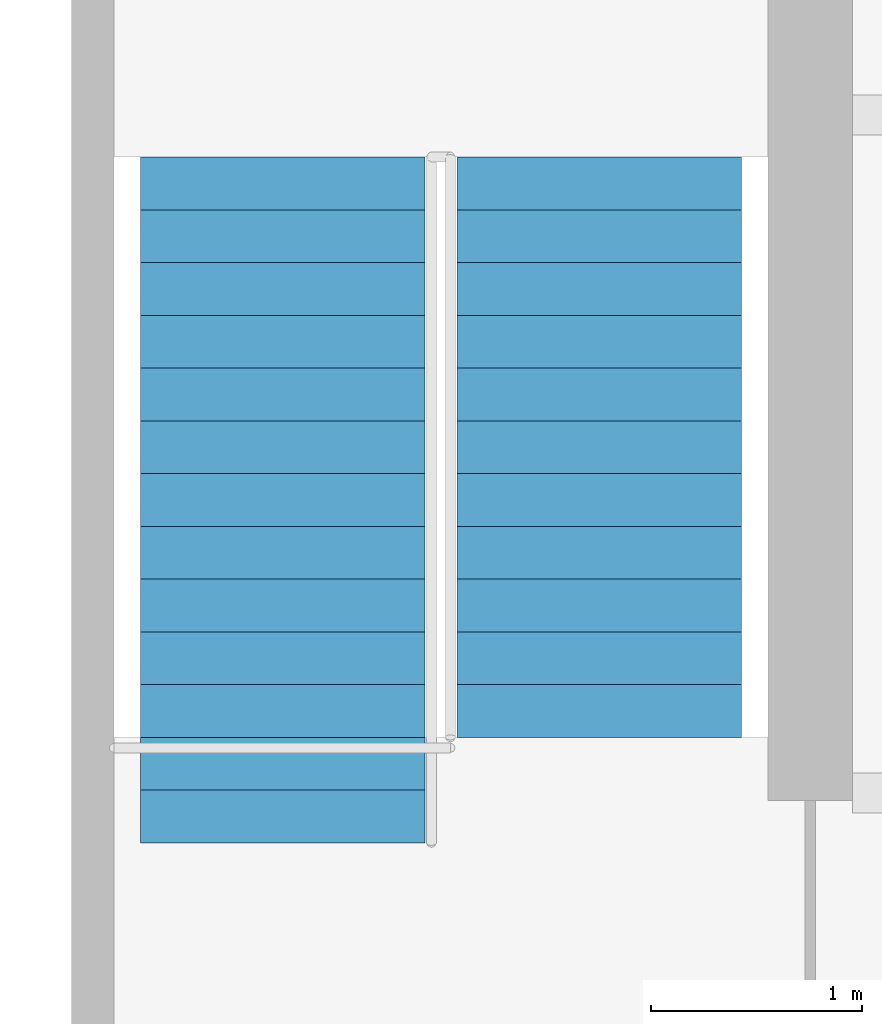
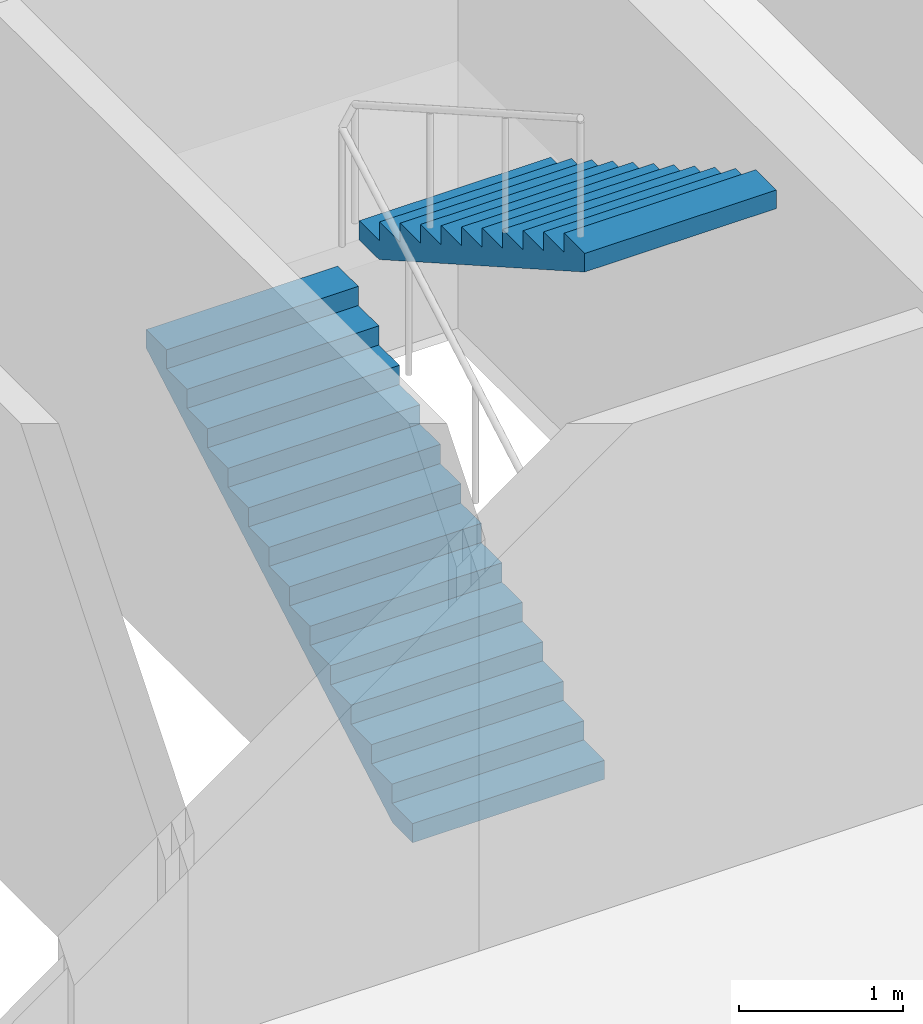
# One storey, part 8 of 9: 2 stair flights, 1 element without a shape of its own.
"""IFC4 building model written with IfcOpenShell, lengths in metres."""

from ifc_helpers import new_model, si_unit, direction, frame, origin, place, context, subcontext, project, spatial, polyline, outline, extrude, material, type_object, element, aggregate, save


model = new_model("IFC4")

# Units and contexts
model_context = context("Model", 3, precision=1e-05, world=origin(), true_north=direction((0.0, 1.0)))
body_context = subcontext(model_context, "Body", "Model", "MODEL_VIEW")
ifc_project = project(units=[si_unit("LENGTHUNIT", "METRE"), si_unit("AREAUNIT", "SQUARE_METRE"), si_unit("VOLUMEUNIT", "CUBIC_METRE"), si_unit("PLANEANGLEUNIT", "RADIAN"), si_unit("MASSUNIT", "GRAM", prefix="KILO")], contexts=[model_context])

# Site, building, storey
site_placement = place(None, origin())
site = spatial("IfcSite", under=ifc_project, at=site_placement, CompositionType="ELEMENT")
building_placement = place(site_placement, origin())
building = spatial("IfcBuilding", under=site, at=building_placement, Name="Quoin Convention Tower", CompositionType="ELEMENT")
storey_placement = place(building_placement, frame((0.0, 0.0, 169.89990234375)))
storey = spatial("IfcBuildingStorey", under=building, at=storey_placement, Name="L44", CompositionType="ELEMENT", Elevation=169.89990234375)

# Stair, stair flights
ifc_material = material(Name="Concrete C40", Category="concrete")
stair_type = type_object("IfcStairType", Name="Exit stair two-flight 1350", PredefinedType="HALF_TURN_STAIR", material=ifc_material)
stair_placement = place(storey_placement, origin())
stair = element("IfcStair", 1, at=stair_placement, inside=storey, type_object=stair_type, Name="SD2 L44", PredefinedType="HALF_TURN_STAIR")
stair_flight_type = type_object("IfcStairFlightType", Name="Stair flight 1350", PredefinedType="STRAIGHT", material=ifc_material)
stair_flight_1_placement = place(storey_placement, frame((64.800048828125, 57.300048828125, 0.0), z_axis=(0.0, 0.0, 1.0), x_axis=(0.0, 1.0, 0.0)))
stair_flight_1 = element("IfcStairFlight", 2, at=stair_flight_1_placement, type_object=stair_flight_type, Name="ST2 flight 1", NumberOfRisers=14, NumberOfTreads=13, PredefinedType="STRAIGHT", RiserHeight=0.142307692, TreadLength=0.25, context=body_context, shape_type="SweptSolid", body=[
    extrude(outline(polyline([(0.0, 0.0), (0.0, 0.142333984375), (0.25, 0.142333984375), (0.25, 0.28466796875), (0.5, 0.28466796875), (0.5, 0.427001953125), (0.75, 0.427001953125), (0.75, 0.5693359375), (1.0, 0.5693359375), (1.0, 0.71142578125), (1.25, 0.71142578125), (1.25, 0.853759765625), (1.5, 0.853759765625), (1.5, 0.99609375), (1.75, 0.99609375), (1.75, 1.138427734375), (2.0, 1.138427734375), (2.0, 1.28076171875), (2.25, 1.28076171875), (2.25, 1.423095703125), (2.5, 1.423095703125), (2.5, 1.5654296875), (2.75, 1.5654296875), (2.75, 1.707763671875), (3.0, 1.707763671875), (3.0, 1.85009765625), (3.25, 1.85009765625), (3.25, 1.9921875), (3.25, 1.711669921875), (0.242919921875, 0.0), (0.0, 0.0)])), frame((0.0, 0.675048828125, 0.0), z_axis=(0.0, -1.0, 0.0), x_axis=(1.0, 0.0, 0.0)), (0.0, 0.0, 1.0), 1.35009765625),
])
stair_flight_2_placement = place(storey_placement, frame((66.300048828125, 60.550048828125, 1.992431640625), z_axis=(0.0, 0.0, 1.0), x_axis=(0.0, -1.0, 0.0)))
stair_flight_2 = element("IfcStairFlight", 3, at=stair_flight_2_placement, type_object=stair_flight_type, Name="ST2 flight 2", NumberOfRisers=12, NumberOfTreads=11, PredefinedType="STRAIGHT", RiserHeight=0.142307692, TreadLength=0.25, context=body_context, shape_type="SweptSolid", body=[
    extrude(outline(polyline([(0.0, 0.0), (0.0, 0.142333984375), (0.25, 0.142333984375), (0.25, 0.28466796875), (0.5, 0.28466796875), (0.5, 0.427001953125), (0.75, 0.427001953125), (0.75, 0.5693359375), (1.0, 0.5693359375), (1.0, 0.71142578125), (1.25, 0.71142578125), (1.25, 0.853759765625), (1.5, 0.853759765625), (1.5, 0.99609375), (1.75, 0.99609375), (1.75, 1.138427734375), (2.0, 1.138427734375), (2.0, 1.28076171875), (2.25, 1.28076171875), (2.25, 1.423095703125), (2.5, 1.423095703125), (2.5, 1.5654296875), (2.75, 1.5654296875), (2.75, 1.707763671875), (2.75, 1.42724609375), (0.242919921875, 0.0), (0.0, 0.0)])), frame((0.0, 0.675048828125, 0.0), z_axis=(0.0, -1.0, 0.0), x_axis=(1.0, 0.0, 0.0)), (0.0, 0.0, 1.0), 1.35009765625),
])
aggregate(stair, [stair_flight_1, stair_flight_2])

save(model, "model.ifc")
